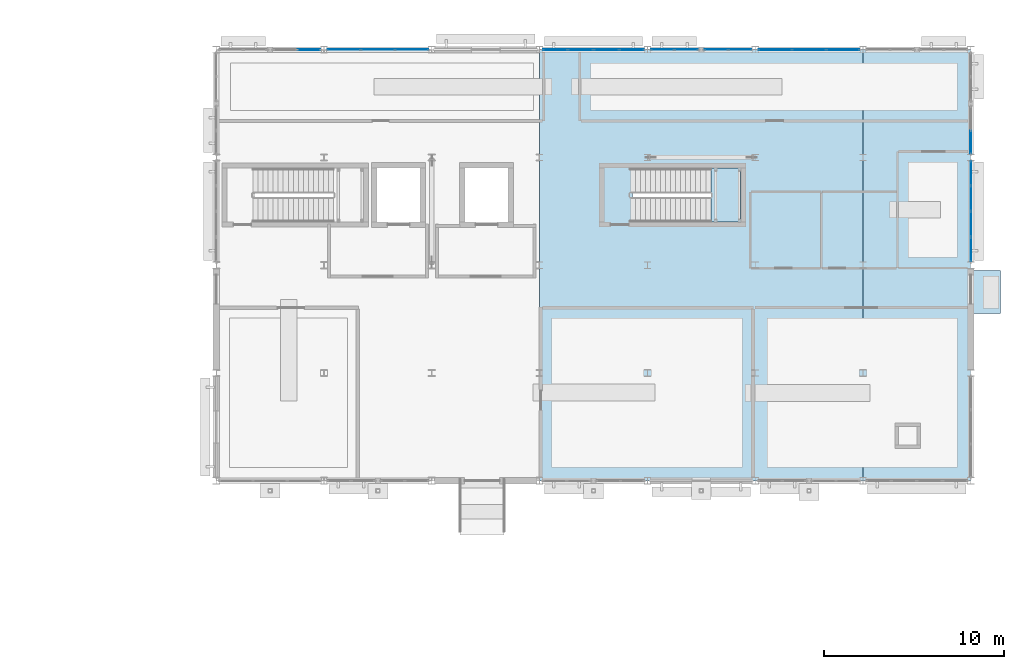
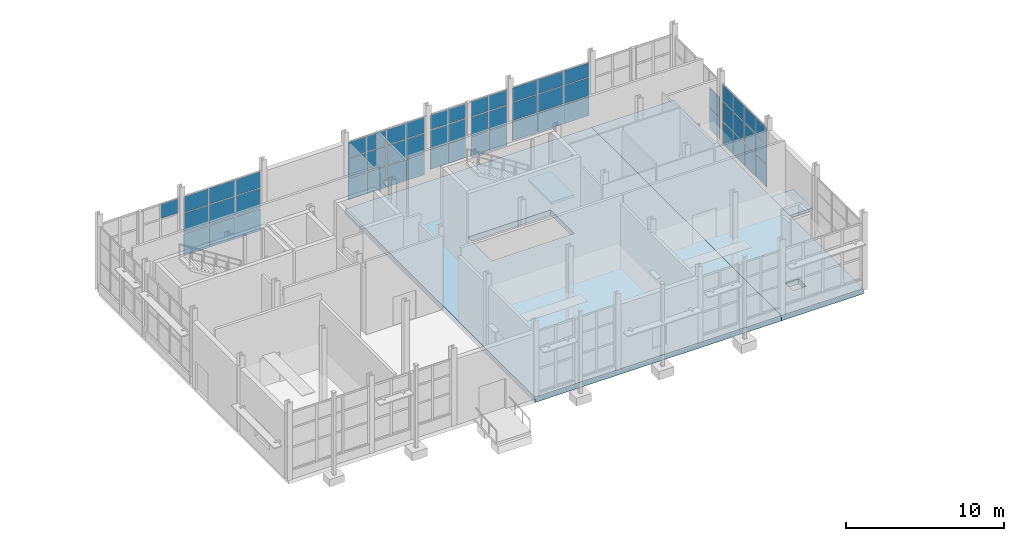
# One storey, part 76 of 120: 57 plates, 4 slabs, 9 elements without a shape of their own.
"""IFC4 building model written with IfcOpenShell, lengths in metres."""

import ifcopenshell
import ifcopenshell.guid

model = None  # the IFC model being written
_history = None  # IfcOwnerHistory: only IFC2X3 demands one
_inside = {}  # id of a spatial element -> (the spatial element, [elements in it])
_under = {}  # id of a project, library or spatial element -> (it, [spatial elements below it])
_declared = {}  # id of a project -> (the project, [libraries it declares])
_typed = {}  # id of a type object -> (the type object, [elements of that type])
_made_of = {}  # id of a material, layer set ... -> (it, [elements and type objects made of it])


def new_model(schema):
    """Start an empty IFC model of exactly this schema.

    Asked for "IFC4X3", IfcOpenShell would pick the latest addendum, in which some entities
    have other attributes; the version numbers below select the first issue.
    IFC2X3 requires an IfcOwnerHistory on every rooted entity: one is made here for all.
    """
    global model, _history
    if schema == "IFC4X3":
        model = ifcopenshell.file(schema_version=(4, 3, 0, 0))
    else:
        model = ifcopenshell.file(schema=schema)
    _inside.clear()
    _under.clear()
    _declared.clear()
    _typed.clear()
    _made_of.clear()
    _history = None
    if model.schema == "IFC2X3":
        org = make("IfcOrganization", Name="unknown")
        user = make(
            "IfcPersonAndOrganization",
            ThePerson=make("IfcPerson", FamilyName="unknown"),
            TheOrganization=org,
        )
        app = make(
            "IfcApplication",
            ApplicationDeveloper=org,
            Version="unknown",
            ApplicationFullName="unknown",
            ApplicationIdentifier="unknown",
        )
        _history = make(
            "IfcOwnerHistory",
            OwningUser=user,
            OwningApplication=app,
            ChangeAction="ADDED",
            CreationDate=0,
        )
    return model


def make(cls, **values):
    """One entity of the class cls with the attributes given. An attribute that is None is left unset."""
    return model.create_entity(
        cls, **{name: value for name, value in values.items() if value is not None}
    )


def rooted(cls, **values):
    """An entity with a GlobalId (a new one), such as an element, a storey or a relation."""
    return make(cls, GlobalId=ifcopenshell.guid.new(), OwnerHistory=_history, **values)


def si_unit(unit_type, name, prefix=None):
    """IfcSIUnit, for example si_unit("LENGTHUNIT", "METRE", prefix="MILLI")."""
    return make("IfcSIUnit", UnitType=unit_type, Prefix=prefix, Name=name)


def assignment(units):
    """IfcUnitAssignment: the units of a project."""
    return None if units is None else make("IfcUnitAssignment", Units=units)


def point(xyz):
    """IfcCartesianPoint."""
    return None if xyz is None else make("IfcCartesianPoint", Coordinates=xyz)


def direction(xyz):
    """IfcDirection."""
    return None if xyz is None else make("IfcDirection", DirectionRatios=xyz)


def frame(location, z_axis=None, x_axis=None):
    """IfcAxis2Placement3D, a coordinate frame: its origin and axes. An axis left out is left unset."""
    return make(
        "IfcAxis2Placement3D",
        Location=point(location),
        Axis=direction(z_axis),
        RefDirection=direction(x_axis),
    )


def frame_2d(location, x_axis=None):
    """IfcAxis2Placement2D, a coordinate frame in the plane: its origin and x axis."""
    return make(
        "IfcAxis2Placement2D", Location=point(location), RefDirection=direction(x_axis)
    )


def origin():
    """The frame at (0, 0, 0) with its axes left unset."""
    return frame((0.0, 0.0, 0.0))


def origin_2d():
    """The frame at (0, 0) in the plane with its x axis left unset."""
    return frame_2d((0.0, 0.0))


def place(relative_to, where):
    """IfcLocalPlacement: puts the frame where relative to a parent placement (None: the world)."""
    return make(
        "IfcLocalPlacement", PlacementRelTo=relative_to, RelativePlacement=where
    )


def context(
    kind, dimensions, precision=None, world=None, true_north=None, identifier=None
):
    """IfcGeometricRepresentationContext, for example the 3D "Model" context."""
    return make(
        "IfcGeometricRepresentationContext",
        ContextIdentifier=identifier,
        ContextType=kind,
        CoordinateSpaceDimension=dimensions,
        Precision=precision,
        WorldCoordinateSystem=world,
        TrueNorth=true_north,
    )


def subcontext(parent, identifier, kind, view, scale=None):
    """IfcGeometricRepresentationSubContext, for example "Body" below "Model"."""
    return make(
        "IfcGeometricRepresentationSubContext",
        ContextIdentifier=identifier,
        ContextType=kind,
        ParentContext=parent,
        TargetScale=scale,
        TargetView=view,
    )


def project(units=None, contexts=None):
    """IfcProject with its units and contexts."""
    return rooted(
        "IfcProject",
        Name="project",
        RepresentationContexts=contexts,
        UnitsInContext=assignment(units),
    )


def spatial(cls, under=None, at=None, **own):
    """A site, building, storey or space (cls), placed at a placement, below another one or the project."""
    s = rooted(cls, ObjectPlacement=at, **own)
    if under is not None:
        _under.setdefault(under.id(), (under, []))[1].append(s)
    return s


def polyline(points):
    """IfcPolyline through the points."""
    return make("IfcPolyline", Points=[point(p) for p in points])


def profile(cls, at=None, kind="AREA", **sizes):
    """A parametric profile (cls). Its sizes go by their IFC names, for example OverallWidth=200.0."""
    return make(cls, ProfileType=kind, Position=at, **sizes)


def rectangle(**sizes):
    """IfcRectangleProfileDef."""
    return profile("IfcRectangleProfileDef", **sizes)


def outline(outer, holes=None, kind="AREA"):
    """IfcArbitraryClosedProfileDef: a profile drawn as a closed curve; with holes, ...WithVoids."""
    if holes is None:
        return make("IfcArbitraryClosedProfileDef", ProfileType=kind, OuterCurve=outer)
    return make(
        "IfcArbitraryProfileDefWithVoids",
        ProfileType=kind,
        OuterCurve=outer,
        InnerCurves=holes,
    )


def extrude(swept, where, along, depth):
    """IfcExtrudedAreaSolid: the profile swept, set in the frame where, extruded along a direction by depth."""
    return make(
        "IfcExtrudedAreaSolid",
        SweptArea=swept,
        Position=where,
        ExtrudedDirection=direction(along),
        Depth=depth,
    )


def shape(context_of_items, identifier, shape_type, items):
    """IfcShapeRepresentation: the items that make up one representation, for example the "Body"."""
    return make(
        "IfcShapeRepresentation",
        ContextOfItems=context_of_items,
        RepresentationIdentifier=identifier,
        RepresentationType=shape_type,
        Items=items,
    )


def material(Name=None, Category=None):
    """IfcMaterial."""
    return make("IfcMaterial", Name=Name, Category=Category)


def layer(
    of_material, thickness, ventilated=None, Name=None, Category=None, Priority=None
):
    """IfcMaterialLayer: one layer of a wall or slab, of a material (None: an air gap)."""
    return make(
        "IfcMaterialLayer",
        Material=of_material,
        LayerThickness=thickness,
        IsVentilated=ventilated,
        Name=Name,
        Category=Category,
        Priority=Priority,
    )


def layer_set(layers, Name=None):
    """IfcMaterialLayerSet."""
    return make("IfcMaterialLayerSet", MaterialLayers=layers, LayerSetName=Name)


def made_of(thing, what):
    """Note that an element or type object is made of a material, layer set ...; save() writes the relation."""
    if what is not None:
        _made_of.setdefault(what.id(), (what, []))[1].append(thing)
    return thing


def type_object(cls, material=None, **own):
    """A type object (cls), such as IfcWallType, which elements share."""
    return made_of(rooted(cls, **own), material)


def element(
    cls,
    number,
    at=None,
    inside=None,
    cuts=None,
    type_object=None,
    material=None,
    context=None,
    identifier="Body",
    shape_type=None,
    held_by="IfcProductDefinitionShape",
    body=None,
    shapes=None,
    **own,
):
    """One element of the class cls, such as IfcWall. Its Tag is "e" and its number.

    at: its placement. inside: the storey or other place that contains it. cuts: it is an
    opening in that element (IfcRelVoidsElement). A single representation is given by context,
    identifier, shape_type and body (its items); several are given by shapes. held_by: the class
    of the entity that holds the representations. save() writes the other relations.
    """
    e = rooted(cls, Tag="e%d" % number, ObjectPlacement=at, **own)
    if body is not None:
        shapes = [shape(context, identifier, shape_type, body)]
    if shapes is not None:
        e.Representation = make(held_by, Representations=shapes)
    if inside is not None:
        _inside.setdefault(inside.id(), (inside, []))[1].append(e)
    if cuts is not None:
        rooted(
            "IfcRelVoidsElement", RelatingBuildingElement=cuts, RelatedOpeningElement=e
        )
    if type_object is not None:
        _typed.setdefault(type_object.id(), (type_object, []))[1].append(e)
    return made_of(e, material)


def aggregate(whole, parts):
    """IfcRelAggregates: a whole, such as a stair, and the parts it consists of."""
    return rooted("IfcRelAggregates", RelatingObject=whole, RelatedObjects=parts)


def save(model, path):
    """Write the relations noted so far, then the file.

    IfcRelAggregates (storeys below a building ...), IfcRelContainedInSpatialStructure (elements
    in a storey), IfcRelDefinesByType, IfcRelAssociatesMaterial and IfcRelDeclares: one each for
    every whole, place, type object, material and project.
    """
    for whole, parts in _under.values():
        aggregate(whole, parts)
    for where, things in _inside.values():
        rooted(
            "IfcRelContainedInSpatialStructure",
            RelatedElements=things,
            RelatingStructure=where,
        )
    for kind, things in _typed.values():
        rooted("IfcRelDefinesByType", RelatedObjects=things, RelatingType=kind)
    for what, things in _made_of.values():
        rooted("IfcRelAssociatesMaterial", RelatedObjects=things, RelatingMaterial=what)
    for by, libraries in _declared.values():
        rooted("IfcRelDeclares", RelatingContext=by, RelatedDefinitions=libraries)
    model.write(path)


model = new_model("IFC4")

# Units and contexts
model_context = context("Model", 3, precision=1e-05, world=origin(), true_north=direction((0.0, 1.0)))
body_context = subcontext(model_context, "Body", "Model", "MODEL_VIEW")
ifc_project = project(units=[si_unit("LENGTHUNIT", "METRE"), si_unit("AREAUNIT", "SQUARE_METRE"), si_unit("VOLUMEUNIT", "CUBIC_METRE"), si_unit("PLANEANGLEUNIT", "RADIAN"), si_unit("MASSUNIT", "GRAM", prefix="KILO")], contexts=[model_context])

# Site, building, storey
site_placement = place(None, origin())
site = spatial("IfcSite", under=ifc_project, at=site_placement, CompositionType="ELEMENT")
building_placement = place(site_placement, origin())
building = spatial("IfcBuilding", under=site, at=building_placement, Name="Siltcreek Boulevard Central Fire Station", CompositionType="ELEMENT")
storey_placement = place(building_placement, origin())
storey = spatial("IfcBuildingStorey", under=building, at=storey_placement, Name="L01", CompositionType="ELEMENT", Elevation=0.0)

# Curtain wall, plates
ifc_material_1 = material(Name="Anodized aluminum and low-E insulated glazing", Category="aluminium")
curtain_wall_type_1 = type_object("IfcCurtainWallType", Name="CW_SYS_22", PredefinedType="USERDEFINED", material=ifc_material_1)
curtain_wall_1_placement = place(storey_placement, origin())
curtain_wall_1 = element("IfcCurtainWall", 1, at=curtain_wall_1_placement, inside=storey, type_object=curtain_wall_type_1, Name="L01 V5 unitised curtain wall CW-111", ObjectType="CURTAIN WALL", PredefinedType="USERDEFINED")
ifc_material_2 = material(Name="Low-E double insulated glass unit", Category="glass")
ifc_layer_1 = layer(ifc_material_2, 0.028076171875, Name="Low-E double insulated glass unit")
ifc_layer_set_1 = layer_set([ifc_layer_1], Name="Low-E double insulated glass unit")
plate_type_1 = type_object("IfcPlateType", Name="CWP_GLZ_1", PredefinedType="CURTAIN_PANEL", material=ifc_layer_set_1)
plate_1_placement = place(storey_placement, frame((153.361328125, 112.199951171875, 0.740234375), z_axis=(0.0, 0.0, 1.0), x_axis=(-1.0, 0.0, 0.0)))
plate_1 = element("IfcPlate", 2, at=plate_1_placement, type_object=plate_type_1, Name="CW-111 panel 1.1", PredefinedType="CURTAIN_PANEL", context=body_context, shape_type="SweptSolid", body=[
    extrude(rectangle(XDim=1.267578125, YDim=0.028076171875, at=origin_2d()), origin(), (0.0, 0.0, 1.0), 1.594482421875),
])
plate_2_placement = place(storey_placement, frame((153.361328125, 112.199951171875, 2.39453125), z_axis=(0.0, 0.0, 1.0), x_axis=(-1.0, 0.0, 0.0)))
plate_2 = element("IfcPlate", 3, at=plate_2_placement, type_object=plate_type_1, Name="CW-111 panel 1.2", PredefinedType="CURTAIN_PANEL", context=body_context, shape_type="SweptSolid", body=[
    extrude(rectangle(XDim=1.267578125, YDim=0.028076171875, at=origin_2d()), origin(), (0.0, 0.0, 1.0), 1.447265625),
])
plate_3_placement = place(storey_placement, frame((153.361328125, 112.199951171875, 3.90185546875), z_axis=(0.0, 0.0, 1.0), x_axis=(-1.0, 0.0, 0.0)))
plate_3 = element("IfcPlate", 4, at=plate_3_placement, type_object=plate_type_1, Name="CW-111 panel 1.3", PredefinedType="CURTAIN_PANEL", context=body_context, shape_type="SweptSolid", body=[
    extrude(rectangle(XDim=1.267578125, YDim=0.028076171875, at=origin_2d()), origin(), (0.0, 0.0, 1.0), 1.151123046875),
])
plate_4_placement = place(storey_placement, frame((152.03369140625, 112.199951171875, 0.740234375), z_axis=(0.0, 0.0, 1.0), x_axis=(-1.0, 0.0, 0.0)))
plate_4 = element("IfcPlate", 5, at=plate_4_placement, type_object=plate_type_1, Name="CW-111 panel 2.1", PredefinedType="CURTAIN_PANEL", context=body_context, shape_type="SweptSolid", body=[
    extrude(rectangle(XDim=1.267578125, YDim=0.028076171875, at=origin_2d()), origin(), (0.0, 0.0, 1.0), 1.594482421875),
])
plate_5_placement = place(storey_placement, frame((152.03369140625, 112.199951171875, 2.39453125), z_axis=(0.0, 0.0, 1.0), x_axis=(-1.0, 0.0, 0.0)))
plate_5 = element("IfcPlate", 6, at=plate_5_placement, type_object=plate_type_1, Name="CW-111 panel 2.2", PredefinedType="CURTAIN_PANEL", context=body_context, shape_type="SweptSolid", body=[
    extrude(rectangle(XDim=1.267578125, YDim=0.028076171875, at=origin_2d()), origin(), (0.0, 0.0, 1.0), 1.447265625),
])
plate_6_placement = place(storey_placement, frame((152.03369140625, 112.199951171875, 3.90185546875), z_axis=(0.0, 0.0, 1.0), x_axis=(-1.0, 0.0, 0.0)))
plate_6 = element("IfcPlate", 7, at=plate_6_placement, type_object=plate_type_1, Name="CW-111 panel 2.3", PredefinedType="CURTAIN_PANEL", context=body_context, shape_type="SweptSolid", body=[
    extrude(rectangle(XDim=1.267578125, YDim=0.028076171875, at=origin_2d()), origin(), (0.0, 0.0, 1.0), 1.151123046875),
])
aggregate(curtain_wall_1, [plate_1, plate_2, plate_3, plate_4, plate_5, plate_6])

curtain_wall_type_2 = type_object("IfcCurtainWallType", Name="CW_SYS_01", PredefinedType="USERDEFINED", material=ifc_material_1)
curtain_wall_2_placement = place(storey_placement, origin())
curtain_wall_2 = element("IfcCurtainWall", 8, at=curtain_wall_2_placement, inside=storey, type_object=curtain_wall_type_2, Name="L01 V5 unitised curtain wall CW-120", ObjectType="CURTAIN WALL", PredefinedType="USERDEFINED")
plate_7_placement = place(storey_placement, frame((166.199951171875, 101.074951171875, 0.38525390625), z_axis=(0.0, 0.0, 1.0), x_axis=(0.0, 1.0, 0.0)))
plate_7 = element("IfcPlate", 9, at=plate_7_placement, type_object=plate_type_1, Name="CW-120 panel 1.1", PredefinedType="CURTAIN_PANEL", context=body_context, shape_type="SweptSolid", body=[
    extrude(rectangle(XDim=1.330078125, YDim=0.028076171875, at=origin_2d()), origin(), (0.0, 0.0, 1.0), 1.697509765625),
])
plate_8_placement = place(storey_placement, frame((166.199951171875, 101.074951171875, 2.1474609375), z_axis=(0.0, 0.0, 1.0), x_axis=(0.0, 1.0, 0.0)))
plate_8 = element("IfcPlate", 10, at=plate_8_placement, type_object=plate_type_1, Name="CW-120 panel 1.2", PredefinedType="CURTAIN_PANEL", context=body_context, shape_type="SweptSolid", body=[
    extrude(rectangle(XDim=1.330078125, YDim=0.028076171875, at=origin_2d()), origin(), (0.0, 0.0, 1.0), 1.541259765625),
])
plate_9_placement = place(storey_placement, frame((166.199951171875, 101.074951171875, 3.75390625), z_axis=(0.0, 0.0, 1.0), x_axis=(0.0, 1.0, 0.0)))
plate_9 = element("IfcPlate", 11, at=plate_9_placement, type_object=plate_type_1, Name="CW-120 panel 1.3", PredefinedType="CURTAIN_PANEL", context=body_context, shape_type="SweptSolid", body=[
    extrude(rectangle(XDim=1.330078125, YDim=0.028076171875, at=origin_2d()), origin(), (0.0, 0.0, 1.0), 1.22509765625),
])
plate_10_placement = place(storey_placement, frame((166.199951171875, 102.486328125, 0.38525390625), z_axis=(0.0, 0.0, 1.0), x_axis=(0.0, 1.0, 0.0)))
plate_10 = element("IfcPlate", 12, at=plate_10_placement, type_object=plate_type_1, Name="CW-120 panel 2.1", PredefinedType="CURTAIN_PANEL", context=body_context, shape_type="SweptSolid", body=[
    extrude(rectangle(XDim=1.362548828125, YDim=0.028076171875, at=origin_2d()), origin(), (0.0, 0.0, 1.0), 1.697509765625),
])
plate_11_placement = place(storey_placement, frame((166.199951171875, 102.486328125, 2.1474609375), z_axis=(0.0, 0.0, 1.0), x_axis=(0.0, 1.0, 0.0)))
plate_11 = element("IfcPlate", 13, at=plate_11_placement, type_object=plate_type_1, Name="CW-120 panel 2.2", PredefinedType="CURTAIN_PANEL", context=body_context, shape_type="SweptSolid", body=[
    extrude(rectangle(XDim=1.362548828125, YDim=0.028076171875, at=origin_2d()), origin(), (0.0, 0.0, 1.0), 1.541259765625),
])
plate_12_placement = place(storey_placement, frame((166.199951171875, 102.486328125, 3.75390625), z_axis=(0.0, 0.0, 1.0), x_axis=(0.0, 1.0, 0.0)))
plate_12 = element("IfcPlate", 14, at=plate_12_placement, type_object=plate_type_1, Name="CW-120 panel 2.3", PredefinedType="CURTAIN_PANEL", context=body_context, shape_type="SweptSolid", body=[
    extrude(rectangle(XDim=1.362548828125, YDim=0.028076171875, at=origin_2d()), origin(), (0.0, 0.0, 1.0), 1.22509765625),
])
plate_13_placement = place(storey_placement, frame((166.199951171875, 103.913818359375, 0.38525390625), z_axis=(0.0, 0.0, 1.0), x_axis=(0.0, 1.0, 0.0)))
plate_13 = element("IfcPlate", 15, at=plate_13_placement, type_object=plate_type_1, Name="CW-120 panel 3.1", PredefinedType="CURTAIN_PANEL", context=body_context, shape_type="SweptSolid", body=[
    extrude(rectangle(XDim=1.362548828125, YDim=0.028076171875, at=origin_2d()), origin(), (0.0, 0.0, 1.0), 1.697509765625),
])
plate_14_placement = place(storey_placement, frame((166.199951171875, 103.913818359375, 2.1474609375), z_axis=(0.0, 0.0, 1.0), x_axis=(0.0, 1.0, 0.0)))
plate_14 = element("IfcPlate", 16, at=plate_14_placement, type_object=plate_type_1, Name="CW-120 panel 3.2", PredefinedType="CURTAIN_PANEL", context=body_context, shape_type="SweptSolid", body=[
    extrude(rectangle(XDim=1.362548828125, YDim=0.028076171875, at=origin_2d()), origin(), (0.0, 0.0, 1.0), 1.541259765625),
])
plate_15_placement = place(storey_placement, frame((166.199951171875, 103.913818359375, 3.75390625), z_axis=(0.0, 0.0, 1.0), x_axis=(0.0, 1.0, 0.0)))
plate_15 = element("IfcPlate", 17, at=plate_15_placement, type_object=plate_type_1, Name="CW-120 panel 3.3", PredefinedType="CURTAIN_PANEL", context=body_context, shape_type="SweptSolid", body=[
    extrude(rectangle(XDim=1.362548828125, YDim=0.028076171875, at=origin_2d()), origin(), (0.0, 0.0, 1.0), 1.22509765625),
])
plate_16_placement = place(storey_placement, frame((166.199951171875, 105.324951171875, 0.38525390625), z_axis=(0.0, 0.0, 1.0), x_axis=(0.0, 1.0, 0.0)))
plate_16 = element("IfcPlate", 18, at=plate_16_placement, type_object=plate_type_1, Name="CW-120 panel 4.1", PredefinedType="CURTAIN_PANEL", context=body_context, shape_type="SweptSolid", body=[
    extrude(rectangle(XDim=1.330078125, YDim=0.028076171875, at=origin_2d()), origin(), (0.0, 0.0, 1.0), 1.697509765625),
])
plate_17_placement = place(storey_placement, frame((166.199951171875, 105.324951171875, 2.1474609375), z_axis=(0.0, 0.0, 1.0), x_axis=(0.0, 1.0, 0.0)))
plate_17 = element("IfcPlate", 19, at=plate_17_placement, type_object=plate_type_1, Name="CW-120 panel 4.2", PredefinedType="CURTAIN_PANEL", context=body_context, shape_type="SweptSolid", body=[
    extrude(rectangle(XDim=1.330078125, YDim=0.028076171875, at=origin_2d()), origin(), (0.0, 0.0, 1.0), 1.541259765625),
])
plate_18_placement = place(storey_placement, frame((166.199951171875, 105.324951171875, 3.75390625), z_axis=(0.0, 0.0, 1.0), x_axis=(0.0, 1.0, 0.0)))
plate_18 = element("IfcPlate", 20, at=plate_18_placement, type_object=plate_type_1, Name="CW-120 panel 4.3", PredefinedType="CURTAIN_PANEL", context=body_context, shape_type="SweptSolid", body=[
    extrude(rectangle(XDim=1.330078125, YDim=0.028076171875, at=origin_2d()), origin(), (0.0, 0.0, 1.0), 1.22509765625),
])
aggregate(curtain_wall_2, [plate_7, plate_8, plate_9, plate_10, plate_11, plate_12, plate_13, plate_14, plate_15, plate_16, plate_17, plate_18])

curtain_wall_type_3 = type_object("IfcCurtainWallType", Name="CW_SYS_20", PredefinedType="USERDEFINED", material=ifc_material_1)
curtain_wall_3_placement = place(storey_placement, origin())
curtain_wall_3 = element("IfcCurtainWall", 21, at=curtain_wall_3_placement, inside=storey, type_object=curtain_wall_type_3, Name="L01 V5 unitised curtain wall CW-109", ObjectType="CURTAIN WALL", PredefinedType="USERDEFINED")
ifc_layer_2 = layer(ifc_material_2, 0.0380859375, Name="Low-E double insulated glass unit")
ifc_layer_set_2 = layer_set([ifc_layer_2], Name="Low-E double insulated glass unit")
plate_type_2 = type_object("IfcPlateType", Name="CWP_GLZ_2", PredefinedType="CURTAIN_PANEL", material=ifc_layer_set_2)
plate_19_placement = place(storey_placement, frame((135.08837890625, 112.199951171875, 0.5), z_axis=(0.0, 0.0, 1.0), x_axis=(-1.0, 0.0, 0.0)))
plate_19 = element("IfcPlate", 22, at=plate_19_placement, type_object=plate_type_2, Name="CW-109 panel 1.1", PredefinedType="CURTAIN_PANEL", context=body_context, shape_type="SweptSolid", body=[
    extrude(rectangle(XDim=1.813232421875, YDim=0.0380859375, at=origin_2d()), origin(), (0.0, 0.0, 1.0), 1.685791015625),
])
plate_20_placement = place(storey_placement, frame((135.08837890625, 112.199951171875, 2.245849609375), z_axis=(0.0, 0.0, 1.0), x_axis=(-1.0, 0.0, 0.0)))
plate_20 = element("IfcPlate", 23, at=plate_20_placement, type_object=plate_type_2, Name="CW-109 panel 1.2", PredefinedType="CURTAIN_PANEL", context=body_context, shape_type="SweptSolid", body=[
    extrude(rectangle(XDim=1.813232421875, YDim=0.0380859375, at=origin_2d()), origin(), (0.0, 0.0, 1.0), 1.52880859375),
])
plate_21_placement = place(storey_placement, frame((135.08837890625, 112.199951171875, 3.83447265625), z_axis=(0.0, 0.0, 1.0), x_axis=(-1.0, 0.0, 0.0)))
plate_21 = element("IfcPlate", 24, at=plate_21_placement, type_object=plate_type_2, Name="CW-109 panel 1.3", PredefinedType="CURTAIN_PANEL", context=body_context, shape_type="SweptSolid", body=[
    extrude(rectangle(XDim=1.813232421875, YDim=0.0380859375, at=origin_2d()), origin(), (0.0, 0.0, 1.0), 1.218505859375),
])
plate_22_placement = place(storey_placement, frame((133.199951171875, 112.199951171875, 0.5), z_axis=(0.0, 0.0, 1.0), x_axis=(-1.0, 0.0, 0.0)))
plate_22 = element("IfcPlate", 25, at=plate_22_placement, type_object=plate_type_2, Name="CW-109 panel 2.1", PredefinedType="CURTAIN_PANEL", context=body_context, shape_type="SweptSolid", body=[
    extrude(rectangle(XDim=1.84326171875, YDim=0.0380859375, at=origin_2d()), origin(), (0.0, 0.0, 1.0), 1.685791015625),
])
plate_23_placement = place(storey_placement, frame((133.199951171875, 112.199951171875, 2.245849609375), z_axis=(0.0, 0.0, 1.0), x_axis=(-1.0, 0.0, 0.0)))
plate_23 = element("IfcPlate", 26, at=plate_23_placement, type_object=plate_type_2, Name="CW-109 panel 2.2", PredefinedType="CURTAIN_PANEL", context=body_context, shape_type="SweptSolid", body=[
    extrude(rectangle(XDim=1.84326171875, YDim=0.0380859375, at=origin_2d()), origin(), (0.0, 0.0, 1.0), 1.52880859375),
])
plate_24_placement = place(storey_placement, frame((133.199951171875, 112.199951171875, 3.83447265625), z_axis=(0.0, 0.0, 1.0), x_axis=(-1.0, 0.0, 0.0)))
plate_24 = element("IfcPlate", 27, at=plate_24_placement, type_object=plate_type_2, Name="CW-109 panel 2.3", PredefinedType="CURTAIN_PANEL", context=body_context, shape_type="SweptSolid", body=[
    extrude(rectangle(XDim=1.84326171875, YDim=0.0380859375, at=origin_2d()), origin(), (0.0, 0.0, 1.0), 1.218505859375),
])
plate_25_placement = place(storey_placement, frame((131.311767578125, 112.199951171875, 0.5), z_axis=(0.0, 0.0, 1.0), x_axis=(-1.0, 0.0, 0.0)))
plate_25 = element("IfcPlate", 28, at=plate_25_placement, type_object=plate_type_2, Name="CW-109 panel 3.1", PredefinedType="CURTAIN_PANEL", context=body_context, shape_type="SweptSolid", body=[
    extrude(rectangle(XDim=1.813232421875, YDim=0.0380859375, at=origin_2d()), origin(), (0.0, 0.0, 1.0), 1.685791015625),
])
plate_26_placement = place(storey_placement, frame((131.311767578125, 112.199951171875, 2.245849609375), z_axis=(0.0, 0.0, 1.0), x_axis=(-1.0, 0.0, 0.0)))
plate_26 = element("IfcPlate", 29, at=plate_26_placement, type_object=plate_type_2, Name="CW-109 panel 3.2", PredefinedType="CURTAIN_PANEL", context=body_context, shape_type="SweptSolid", body=[
    extrude(rectangle(XDim=1.813232421875, YDim=0.0380859375, at=origin_2d()), origin(), (0.0, 0.0, 1.0), 1.52880859375),
])
plate_27_placement = place(storey_placement, frame((131.311767578125, 112.199951171875, 3.83447265625), z_axis=(0.0, 0.0, 1.0), x_axis=(-1.0, 0.0, 0.0)))
plate_27 = element("IfcPlate", 30, at=plate_27_placement, type_object=plate_type_2, Name="CW-109 panel 3.3", PredefinedType="CURTAIN_PANEL", context=body_context, shape_type="SweptSolid", body=[
    extrude(rectangle(XDim=1.813232421875, YDim=0.0380859375, at=origin_2d()), origin(), (0.0, 0.0, 1.0), 1.218505859375),
])
aggregate(curtain_wall_3, [plate_19, plate_20, plate_21, plate_22, plate_23, plate_24, plate_25, plate_26, plate_27])

curtain_wall_type_4 = type_object("IfcCurtainWallType", Name="CW_SYS_23", PredefinedType="USERDEFINED", material=ifc_material_1)
curtain_wall_4_placement = place(storey_placement, origin())
curtain_wall_4 = element("IfcCurtainWall", 31, at=curtain_wall_4_placement, inside=storey, type_object=curtain_wall_type_4, Name="L01 V5 unitised curtain wall CW-112", ObjectType="CURTAIN WALL", PredefinedType="USERDEFINED")
plate_28_placement = place(storey_placement, frame((150.364990234375, 112.199951171875, 0.864990234375), z_axis=(0.0, 0.0, 1.0), x_axis=(-1.0, 0.0, 0.0)))
plate_28 = element("IfcPlate", 32, at=plate_28_placement, type_object=plate_type_2, Name="CW-112 panel 1.1", PredefinedType="CURTAIN_PANEL", context=body_context, shape_type="SweptSolid", body=[
    extrude(rectangle(XDim=1.260009765625, YDim=0.0380859375, at=origin_2d()), origin(), (0.0, 0.0, 1.0), 1.54150390625),
])
plate_29_placement = place(storey_placement, frame((150.364990234375, 112.199951171875, 2.47119140625), z_axis=(0.0, 0.0, 1.0), x_axis=(-1.0, 0.0, 0.0)))
plate_29 = element("IfcPlate", 33, at=plate_29_placement, type_object=plate_type_2, Name="CW-112 panel 1.2", PredefinedType="CURTAIN_PANEL", context=body_context, shape_type="SweptSolid", body=[
    extrude(rectangle(XDim=1.260009765625, YDim=0.0380859375, at=origin_2d()), origin(), (0.0, 0.0, 1.0), 1.401611328125),
])
plate_30_placement = place(storey_placement, frame((150.364990234375, 112.199951171875, 3.93798828125), z_axis=(0.0, 0.0, 1.0), x_axis=(-1.0, 0.0, 0.0)))
plate_30 = element("IfcPlate", 34, at=plate_30_placement, type_object=plate_type_2, Name="CW-112 panel 1.3", PredefinedType="CURTAIN_PANEL", context=body_context, shape_type="SweptSolid", body=[
    extrude(rectangle(XDim=1.260009765625, YDim=0.0380859375, at=origin_2d()), origin(), (0.0, 0.0, 1.0), 1.110107421875),
])
plate_31_placement = place(storey_placement, frame((149.0400390625, 112.199951171875, 0.864990234375), z_axis=(0.0, 0.0, 1.0), x_axis=(-1.0, 0.0, 0.0)))
plate_31 = element("IfcPlate", 35, at=plate_31_placement, type_object=plate_type_2, Name="CW-112 panel 2.1", PredefinedType="CURTAIN_PANEL", context=body_context, shape_type="SweptSolid", body=[
    extrude(rectangle(XDim=1.260009765625, YDim=0.0380859375, at=origin_2d()), origin(), (0.0, 0.0, 1.0), 1.54150390625),
])
plate_32_placement = place(storey_placement, frame((149.0400390625, 112.199951171875, 2.47119140625), z_axis=(0.0, 0.0, 1.0), x_axis=(-1.0, 0.0, 0.0)))
plate_32 = element("IfcPlate", 36, at=plate_32_placement, type_object=plate_type_2, Name="CW-112 panel 2.2", PredefinedType="CURTAIN_PANEL", context=body_context, shape_type="SweptSolid", body=[
    extrude(rectangle(XDim=1.260009765625, YDim=0.0380859375, at=origin_2d()), origin(), (0.0, 0.0, 1.0), 1.401611328125),
])
plate_33_placement = place(storey_placement, frame((149.0400390625, 112.199951171875, 3.93798828125), z_axis=(0.0, 0.0, 1.0), x_axis=(-1.0, 0.0, 0.0)))
plate_33 = element("IfcPlate", 37, at=plate_33_placement, type_object=plate_type_2, Name="CW-112 panel 2.3", PredefinedType="CURTAIN_PANEL", context=body_context, shape_type="SweptSolid", body=[
    extrude(rectangle(XDim=1.260009765625, YDim=0.0380859375, at=origin_2d()), origin(), (0.0, 0.0, 1.0), 1.110107421875),
])
aggregate(curtain_wall_4, [plate_28, plate_29, plate_30, plate_31, plate_32, plate_33])

curtain_wall_type_5 = type_object("IfcCurtainWallType", Name="CW_SYS_02", PredefinedType="USERDEFINED", material=ifc_material_1)
curtain_wall_5_placement = place(storey_placement, origin())
curtain_wall_5 = element("IfcCurtainWall", 38, at=curtain_wall_5_placement, inside=storey, type_object=curtain_wall_type_5, Name="L01 V5 unitised curtain wall CW-121", ObjectType="CURTAIN WALL", PredefinedType="USERDEFINED")
plate_34_placement = place(storey_placement, frame((166.199951171875, 107.038818359375, 0.5), z_axis=(0.0, 0.0, 1.0), x_axis=(0.0, 1.0, 0.0)))
plate_34 = element("IfcPlate", 39, at=plate_34_placement, type_object=plate_type_2, Name="CW-121 panel 1.1", PredefinedType="CURTAIN_PANEL", context=body_context, shape_type="SweptSolid", body=[
    extrude(rectangle(XDim=1.267578125, YDim=0.0380859375, at=origin_2d()), origin(), (0.0, 0.0, 1.0), 1.659423828125),
])
plate_35_placement = place(storey_placement, frame((166.199951171875, 107.038818359375, 2.219482421875), z_axis=(0.0, 0.0, 1.0), x_axis=(0.0, 1.0, 0.0)))
plate_35 = element("IfcPlate", 40, at=plate_35_placement, type_object=plate_type_2, Name="CW-121 panel 1.2", PredefinedType="CURTAIN_PANEL", context=body_context, shape_type="SweptSolid", body=[
    extrude(rectangle(XDim=1.267578125, YDim=0.0380859375, at=origin_2d()), origin(), (0.0, 0.0, 1.0), 1.50537109375),
])
aggregate(curtain_wall_5, [plate_34, plate_35])

# Curtain wall, plate
curtain_wall_type_6 = type_object("IfcCurtainWallType", Name="CW_SYS_18", PredefinedType="USERDEFINED", material=ifc_material_1)
curtain_wall_6_placement = place(storey_placement, origin())
curtain_wall_6 = element("IfcCurtainWall", 41, at=curtain_wall_6_placement, inside=storey, type_object=curtain_wall_type_6, Name="L01 V5 unitised curtain wall CW-107", ObjectType="CURTAIN WALL", PredefinedType="USERDEFINED")
ifc_layer_3 = layer(ifc_material_2, 0.048095703125, Name="Low-E double insulated glass unit")
ifc_layer_set_3 = layer_set([ifc_layer_3], Name="Low-E double insulated glass unit")
plate_type_3 = type_object("IfcPlateType", Name="CWP_GLZ_3", PredefinedType="CURTAIN_PANEL", material=ifc_layer_set_3)
plate_36_placement = place(storey_placement, frame((129.361328125, 112.199951171875, 3.968994140625), z_axis=(0.0, 0.0, 1.0), x_axis=(-1.0, 0.0, 0.0)))
plate_36 = element("IfcPlate", 42, at=plate_36_placement, type_object=plate_type_3, Name="CW-107 panel 1.3", PredefinedType="CURTAIN_PANEL", context=body_context, shape_type="SweptSolid", body=[
    extrude(rectangle(XDim=1.267578125, YDim=0.048095703125, at=origin_2d()), origin(), (0.0, 0.0, 1.0), 1.083984375),
])
aggregate(curtain_wall_6, [plate_36])

# Curtain wall, plates
curtain_wall_type_7 = type_object("IfcCurtainWallType", Name="CW_SYS_21", PredefinedType="USERDEFINED", material=ifc_material_1)
curtain_wall_7_placement = place(storey_placement, origin())
curtain_wall_7 = element("IfcCurtainWall", 43, at=curtain_wall_7_placement, inside=storey, type_object=curtain_wall_type_7, Name="L01 V5 unitised curtain wall CW-110", ObjectType="CURTAIN WALL", PredefinedType="USERDEFINED")
plate_37_placement = place(storey_placement, frame((147.324951171875, 112.199951171875, 0.625), z_axis=(0.0, 0.0, 1.0), x_axis=(-1.0, 0.0, 0.0)))
plate_37 = element("IfcPlate", 44, at=plate_37_placement, type_object=plate_type_3, Name="CW-110 panel 1.1", PredefinedType="CURTAIN_PANEL", context=body_context, shape_type="SweptSolid", body=[
    extrude(rectangle(XDim=1.330078125, YDim=0.048095703125, at=origin_2d()), origin(), (0.0, 0.0, 1.0), 1.632568359375),
])
plate_38_placement = place(storey_placement, frame((147.324951171875, 112.199951171875, 2.32275390625), z_axis=(0.0, 0.0, 1.0), x_axis=(-1.0, 0.0, 0.0)))
plate_38 = element("IfcPlate", 45, at=plate_38_placement, type_object=plate_type_3, Name="CW-110 panel 1.2", PredefinedType="CURTAIN_PANEL", context=body_context, shape_type="SweptSolid", body=[
    extrude(rectangle(XDim=1.330078125, YDim=0.048095703125, at=origin_2d()), origin(), (0.0, 0.0, 1.0), 1.483154296875),
])
plate_39_placement = place(storey_placement, frame((147.324951171875, 112.199951171875, 3.87060546875), z_axis=(0.0, 0.0, 1.0), x_axis=(-1.0, 0.0, 0.0)))
plate_39 = element("IfcPlate", 46, at=plate_39_placement, type_object=plate_type_3, Name="CW-110 panel 1.3", PredefinedType="CURTAIN_PANEL", context=body_context, shape_type="SweptSolid", body=[
    extrude(rectangle(XDim=1.330078125, YDim=0.048095703125, at=origin_2d()), origin(), (0.0, 0.0, 1.0), 1.17724609375),
])
plate_40_placement = place(storey_placement, frame((145.913818359375, 112.199951171875, 0.625), z_axis=(0.0, 0.0, 1.0), x_axis=(-1.0, 0.0, 0.0)))
plate_40 = element("IfcPlate", 47, at=plate_40_placement, type_object=plate_type_3, Name="CW-110 panel 2.1", PredefinedType="CURTAIN_PANEL", context=body_context, shape_type="SweptSolid", body=[
    extrude(rectangle(XDim=1.362548828125, YDim=0.048095703125, at=origin_2d()), origin(), (0.0, 0.0, 1.0), 1.632568359375),
])
plate_41_placement = place(storey_placement, frame((145.913818359375, 112.199951171875, 2.32275390625), z_axis=(0.0, 0.0, 1.0), x_axis=(-1.0, 0.0, 0.0)))
plate_41 = element("IfcPlate", 48, at=plate_41_placement, type_object=plate_type_3, Name="CW-110 panel 2.2", PredefinedType="CURTAIN_PANEL", context=body_context, shape_type="SweptSolid", body=[
    extrude(rectangle(XDim=1.362548828125, YDim=0.048095703125, at=origin_2d()), origin(), (0.0, 0.0, 1.0), 1.483154296875),
])
plate_42_placement = place(storey_placement, frame((145.913818359375, 112.199951171875, 3.87060546875), z_axis=(0.0, 0.0, 1.0), x_axis=(-1.0, 0.0, 0.0)))
plate_42 = element("IfcPlate", 49, at=plate_42_placement, type_object=plate_type_3, Name="CW-110 panel 2.3", PredefinedType="CURTAIN_PANEL", context=body_context, shape_type="SweptSolid", body=[
    extrude(rectangle(XDim=1.362548828125, YDim=0.048095703125, at=origin_2d()), origin(), (0.0, 0.0, 1.0), 1.17724609375),
])
plate_43_placement = place(storey_placement, frame((144.486328125, 112.199951171875, 0.625), z_axis=(0.0, 0.0, 1.0), x_axis=(-1.0, 0.0, 0.0)))
plate_43 = element("IfcPlate", 50, at=plate_43_placement, type_object=plate_type_3, Name="CW-110 panel 3.1", PredefinedType="CURTAIN_PANEL", context=body_context, shape_type="SweptSolid", body=[
    extrude(rectangle(XDim=1.362548828125, YDim=0.048095703125, at=origin_2d()), origin(), (0.0, 0.0, 1.0), 1.632568359375),
])
plate_44_placement = place(storey_placement, frame((144.486328125, 112.199951171875, 2.32275390625), z_axis=(0.0, 0.0, 1.0), x_axis=(-1.0, 0.0, 0.0)))
plate_44 = element("IfcPlate", 51, at=plate_44_placement, type_object=plate_type_3, Name="CW-110 panel 3.2", PredefinedType="CURTAIN_PANEL", context=body_context, shape_type="SweptSolid", body=[
    extrude(rectangle(XDim=1.362548828125, YDim=0.048095703125, at=origin_2d()), origin(), (0.0, 0.0, 1.0), 1.483154296875),
])
plate_45_placement = place(storey_placement, frame((144.486328125, 112.199951171875, 3.87060546875), z_axis=(0.0, 0.0, 1.0), x_axis=(-1.0, 0.0, 0.0)))
plate_45 = element("IfcPlate", 52, at=plate_45_placement, type_object=plate_type_3, Name="CW-110 panel 3.3", PredefinedType="CURTAIN_PANEL", context=body_context, shape_type="SweptSolid", body=[
    extrude(rectangle(XDim=1.362548828125, YDim=0.048095703125, at=origin_2d()), origin(), (0.0, 0.0, 1.0), 1.17724609375),
])
plate_46_placement = place(storey_placement, frame((143.074951171875, 112.199951171875, 0.625), z_axis=(0.0, 0.0, 1.0), x_axis=(-1.0, 0.0, 0.0)))
plate_46 = element("IfcPlate", 53, at=plate_46_placement, type_object=plate_type_3, Name="CW-110 panel 4.1", PredefinedType="CURTAIN_PANEL", context=body_context, shape_type="SweptSolid", body=[
    extrude(rectangle(XDim=1.330078125, YDim=0.048095703125, at=origin_2d()), origin(), (0.0, 0.0, 1.0), 1.632568359375),
])
plate_47_placement = place(storey_placement, frame((143.074951171875, 112.199951171875, 2.32275390625), z_axis=(0.0, 0.0, 1.0), x_axis=(-1.0, 0.0, 0.0)))
plate_47 = element("IfcPlate", 54, at=plate_47_placement, type_object=plate_type_3, Name="CW-110 panel 4.2", PredefinedType="CURTAIN_PANEL", context=body_context, shape_type="SweptSolid", body=[
    extrude(rectangle(XDim=1.330078125, YDim=0.048095703125, at=origin_2d()), origin(), (0.0, 0.0, 1.0), 1.483154296875),
])
plate_48_placement = place(storey_placement, frame((143.074951171875, 112.199951171875, 3.87060546875), z_axis=(0.0, 0.0, 1.0), x_axis=(-1.0, 0.0, 0.0)))
plate_48 = element("IfcPlate", 55, at=plate_48_placement, type_object=plate_type_3, Name="CW-110 panel 4.3", PredefinedType="CURTAIN_PANEL", context=body_context, shape_type="SweptSolid", body=[
    extrude(rectangle(XDim=1.330078125, YDim=0.048095703125, at=origin_2d()), origin(), (0.0, 0.0, 1.0), 1.17724609375),
])
aggregate(curtain_wall_7, [plate_37, plate_38, plate_39, plate_40, plate_41, plate_42, plate_43, plate_44, plate_45, plate_46, plate_47, plate_48])

curtain_wall_type_8 = type_object("IfcCurtainWallType", Name="CW_SYS_24", PredefinedType="USERDEFINED", material=ifc_material_1)
curtain_wall_8_placement = place(storey_placement, origin())
curtain_wall_8 = element("IfcCurtainWall", 56, at=curtain_wall_8_placement, inside=storey, type_object=curtain_wall_type_8, Name="L01 V5 unitised curtain wall CW-113", ObjectType="CURTAIN WALL", PredefinedType="USERDEFINED")
plate_49_placement = place(storey_placement, frame((159.08837890625, 112.199951171875, 0.97998046875), z_axis=(0.0, 0.0, 1.0), x_axis=(-1.0, 0.0, 0.0)))
plate_49 = element("IfcPlate", 57, at=plate_49_placement, type_object=plate_type_3, Name="CW-113 panel 1.1", PredefinedType="CURTAIN_PANEL", context=body_context, shape_type="SweptSolid", body=[
    extrude(rectangle(XDim=1.813232421875, YDim=0.048095703125, at=origin_2d()), origin(), (0.0, 0.0, 1.0), 1.50341796875),
])
plate_50_placement = place(storey_placement, frame((159.08837890625, 112.199951171875, 2.543212890625), z_axis=(0.0, 0.0, 1.0), x_axis=(-1.0, 0.0, 0.0)))
plate_50 = element("IfcPlate", 58, at=plate_50_placement, type_object=plate_type_3, Name="CW-113 panel 1.2", PredefinedType="CURTAIN_PANEL", context=body_context, shape_type="SweptSolid", body=[
    extrude(rectangle(XDim=1.813232421875, YDim=0.048095703125, at=origin_2d()), origin(), (0.0, 0.0, 1.0), 1.36572265625),
])
plate_51_placement = place(storey_placement, frame((159.08837890625, 112.199951171875, 3.968994140625), z_axis=(0.0, 0.0, 1.0), x_axis=(-1.0, 0.0, 0.0)))
plate_51 = element("IfcPlate", 59, at=plate_51_placement, type_object=plate_type_3, Name="CW-113 panel 1.3", PredefinedType="CURTAIN_PANEL", context=body_context, shape_type="SweptSolid", body=[
    extrude(rectangle(XDim=1.813232421875, YDim=0.048095703125, at=origin_2d()), origin(), (0.0, 0.0, 1.0), 1.083984375),
])
plate_52_placement = place(storey_placement, frame((157.199951171875, 112.199951171875, 0.97998046875), z_axis=(0.0, 0.0, 1.0), x_axis=(-1.0, 0.0, 0.0)))
plate_52 = element("IfcPlate", 60, at=plate_52_placement, type_object=plate_type_3, Name="CW-113 panel 2.1", PredefinedType="CURTAIN_PANEL", context=body_context, shape_type="SweptSolid", body=[
    extrude(rectangle(XDim=1.84326171875, YDim=0.048095703125, at=origin_2d()), origin(), (0.0, 0.0, 1.0), 1.50341796875),
])
plate_53_placement = place(storey_placement, frame((157.199951171875, 112.199951171875, 2.543212890625), z_axis=(0.0, 0.0, 1.0), x_axis=(-1.0, 0.0, 0.0)))
plate_53 = element("IfcPlate", 61, at=plate_53_placement, type_object=plate_type_3, Name="CW-113 panel 2.2", PredefinedType="CURTAIN_PANEL", context=body_context, shape_type="SweptSolid", body=[
    extrude(rectangle(XDim=1.84326171875, YDim=0.048095703125, at=origin_2d()), origin(), (0.0, 0.0, 1.0), 1.36572265625),
])
plate_54_placement = place(storey_placement, frame((157.199951171875, 112.199951171875, 3.968994140625), z_axis=(0.0, 0.0, 1.0), x_axis=(-1.0, 0.0, 0.0)))
plate_54 = element("IfcPlate", 62, at=plate_54_placement, type_object=plate_type_3, Name="CW-113 panel 2.3", PredefinedType="CURTAIN_PANEL", context=body_context, shape_type="SweptSolid", body=[
    extrude(rectangle(XDim=1.84326171875, YDim=0.048095703125, at=origin_2d()), origin(), (0.0, 0.0, 1.0), 1.083984375),
])
plate_55_placement = place(storey_placement, frame((155.311767578125, 112.199951171875, 0.97998046875), z_axis=(0.0, 0.0, 1.0), x_axis=(-1.0, 0.0, 0.0)))
plate_55 = element("IfcPlate", 63, at=plate_55_placement, type_object=plate_type_3, Name="CW-113 panel 3.1", PredefinedType="CURTAIN_PANEL", context=body_context, shape_type="SweptSolid", body=[
    extrude(rectangle(XDim=1.813232421875, YDim=0.048095703125, at=origin_2d()), origin(), (0.0, 0.0, 1.0), 1.50341796875),
])
plate_56_placement = place(storey_placement, frame((155.311767578125, 112.199951171875, 2.543212890625), z_axis=(0.0, 0.0, 1.0), x_axis=(-1.0, 0.0, 0.0)))
plate_56 = element("IfcPlate", 64, at=plate_56_placement, type_object=plate_type_3, Name="CW-113 panel 3.2", PredefinedType="CURTAIN_PANEL", context=body_context, shape_type="SweptSolid", body=[
    extrude(rectangle(XDim=1.813232421875, YDim=0.048095703125, at=origin_2d()), origin(), (0.0, 0.0, 1.0), 1.36572265625),
])
plate_57_placement = place(storey_placement, frame((155.311767578125, 112.199951171875, 3.968994140625), z_axis=(0.0, 0.0, 1.0), x_axis=(-1.0, 0.0, 0.0)))
plate_57 = element("IfcPlate", 65, at=plate_57_placement, type_object=plate_type_3, Name="CW-113 panel 3.3", PredefinedType="CURTAIN_PANEL", context=body_context, shape_type="SweptSolid", body=[
    extrude(rectangle(XDim=1.813232421875, YDim=0.048095703125, at=origin_2d()), origin(), (0.0, 0.0, 1.0), 1.083984375),
])
aggregate(curtain_wall_8, [plate_49, plate_50, plate_51, plate_52, plate_53, plate_54, plate_55, plate_56, plate_57])

# Slabs
ifc_material_3 = material(Name="Concrete C35/45", Category="concrete")
ifc_layer_4 = layer(ifc_material_3, 0.409912109375, Name="Concrete C35/45")
ifc_layer_set_4 = layer_set([ifc_layer_4], Name="Concrete C35/45")
slab_type_1 = type_object("IfcSlabType", Name="SL_BASE350", PredefinedType="BASESLAB", material=ifc_layer_set_4)
slab_1_placement = place(storey_placement, frame((0.0, 0.0, -0.409912109375)))
element("IfcSlab", 66, at=slab_1_placement, inside=storey, type_object=slab_type_1, Name="L01 V5 structural floor slab SL-013", PredefinedType="BASESLAB", context=body_context, shape_type="SweptSolid", body=[
    extrude(outline(polyline([(142.199951171875, 112.199951171875), (160.199951171875, 112.199951171875), (160.199951171875, 88.199951171875), (142.199951171875, 88.199951171875), (142.199951171875, 112.199951171875)]), holes=[polyline([(147.360107421875, 105.60009765625), (147.360107421875, 102.60009765625), (153.39990234375, 102.60009765625), (153.39990234375, 105.60009765625), (147.360107421875, 105.60009765625)])]), origin(), (0.0, 0.0, 1.0), 0.409912109375),
])
slab_2_placement = place(storey_placement, frame((0.0, 0.0, -0.409912109375)))
element("IfcSlab", 67, at=slab_2_placement, inside=storey, type_object=slab_type_1, Name="L01 V5 structural floor slab SL-014", PredefinedType="BASESLAB", context=body_context, shape_type="SweptSolid", body=[
    extrude(outline(polyline([(166.199951171875, 112.199951171875), (166.199951171875, 88.199951171875), (160.199951171875, 88.199951171875), (160.199951171875, 112.199951171875), (166.199951171875, 112.199951171875)]), holes=[polyline([(163.179931640625, 91.179931640625), (162.219970703125, 91.179931640625), (162.219970703125, 90.219970703125), (163.179931640625, 90.219970703125), (163.179931640625, 91.179931640625)])]), origin(), (0.0, 0.0, 1.0), 0.409912109375),
])

# Stair, slab
ifc_material_4 = material(Name="Precast concrete C40/50", Category="concrete")
stair_type = type_object("IfcStairType", Name="ST_DOG_H60", PredefinedType="HALF_TURN_STAIR", material=ifc_material_4)
stair_placement = place(storey_placement, origin())
stair = element("IfcStair", 68, at=stair_placement, inside=storey, type_object=stair_type, Name="L01 Enclosed exit stairway ST-V5B", PredefinedType="HALF_TURN_STAIR")
ifc_layer_5 = layer(ifc_material_4, 0.199951171875, Name="Precast concrete C40/50")
ifc_layer_set_5 = layer_set([ifc_layer_5], Name="Precast concrete C40/50")
slab_type_2 = type_object("IfcSlabType", Name="SL_LAND200", PredefinedType="LANDING", material=ifc_layer_set_5)
slab_3_placement = place(storey_placement, frame((0.0, 0.0, 2.800048828125)))
slab_3 = element("IfcSlab", 69, at=slab_3_placement, type_object=slab_type_2, Name="ST-V5B landing 1", PredefinedType="LANDING", context=body_context, shape_type="SweptSolid", body=[
    extrude(outline(polyline([(151.72998046875, 102.60009765625), (153.39990234375, 102.60009765625), (153.39990234375, 105.60009765625), (151.72998046875, 105.60009765625), (151.72998046875, 102.60009765625)])), origin(), (0.0, 0.0, 1.0), 0.199951171875),
])
aggregate(stair, [slab_3])

# Slab
ifc_layer_6 = layer(ifc_material_3, 0.2099609375, Name="Concrete C35/45")
ifc_layer_set_6 = layer_set([ifc_layer_6], Name="Concrete C35/45")
slab_type_3 = type_object("IfcSlabType", Name="SL_TER210", PredefinedType="FLOOR", material=ifc_layer_set_6)
slab_4_placement = place(storey_placement, frame((0.0, 0.0, -0.2099609375)))
element("IfcSlab", 70, at=slab_4_placement, inside=storey, type_object=slab_type_3, Name="V5 east stair exit-discharge landing slab AP-V5E", PredefinedType="FLOOR", context=body_context, shape_type="SweptSolid", body=[
    extrude(outline(polyline([(166.199951171875, 97.5), (167.85009765625, 97.5), (167.85009765625, 99.89990234375), (166.199951171875, 99.89990234375), (166.199951171875, 97.5)])), origin(), (0.0, 0.0, 1.0), 0.2099609375),
])

save(model, "model.ifc")
